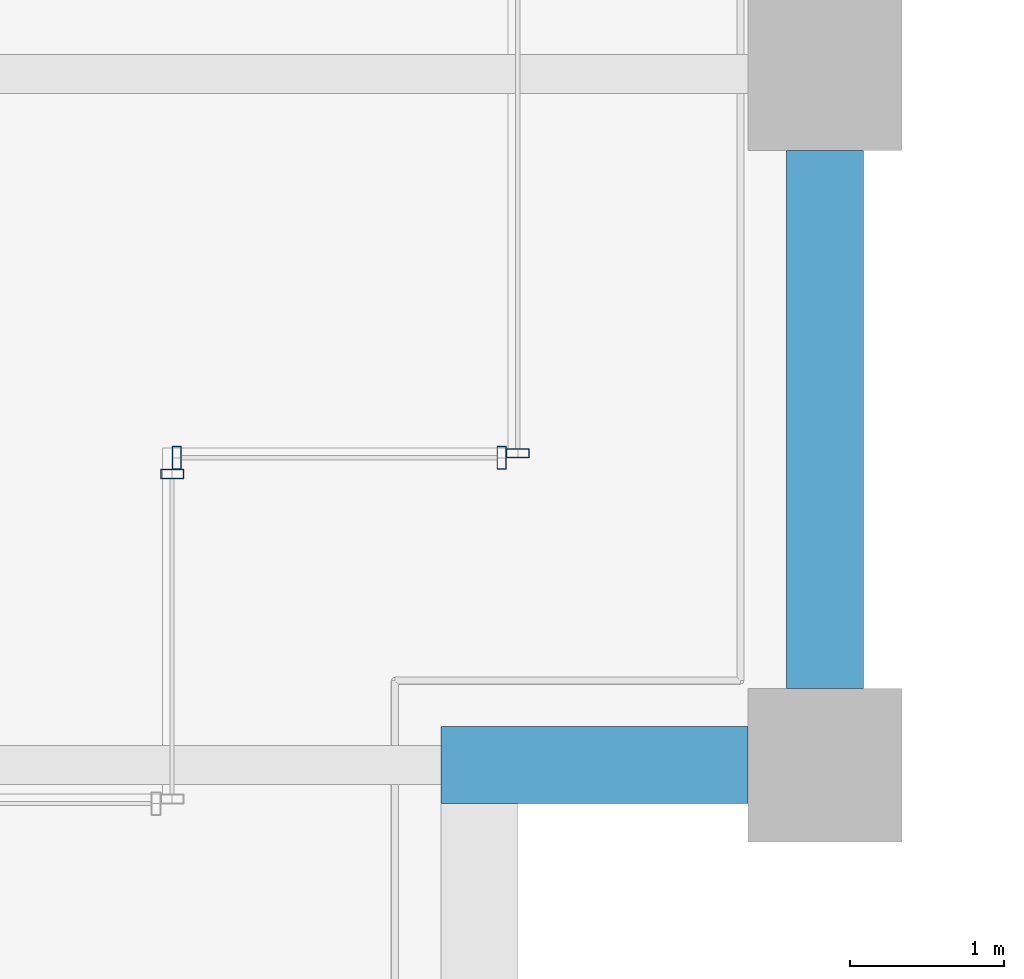
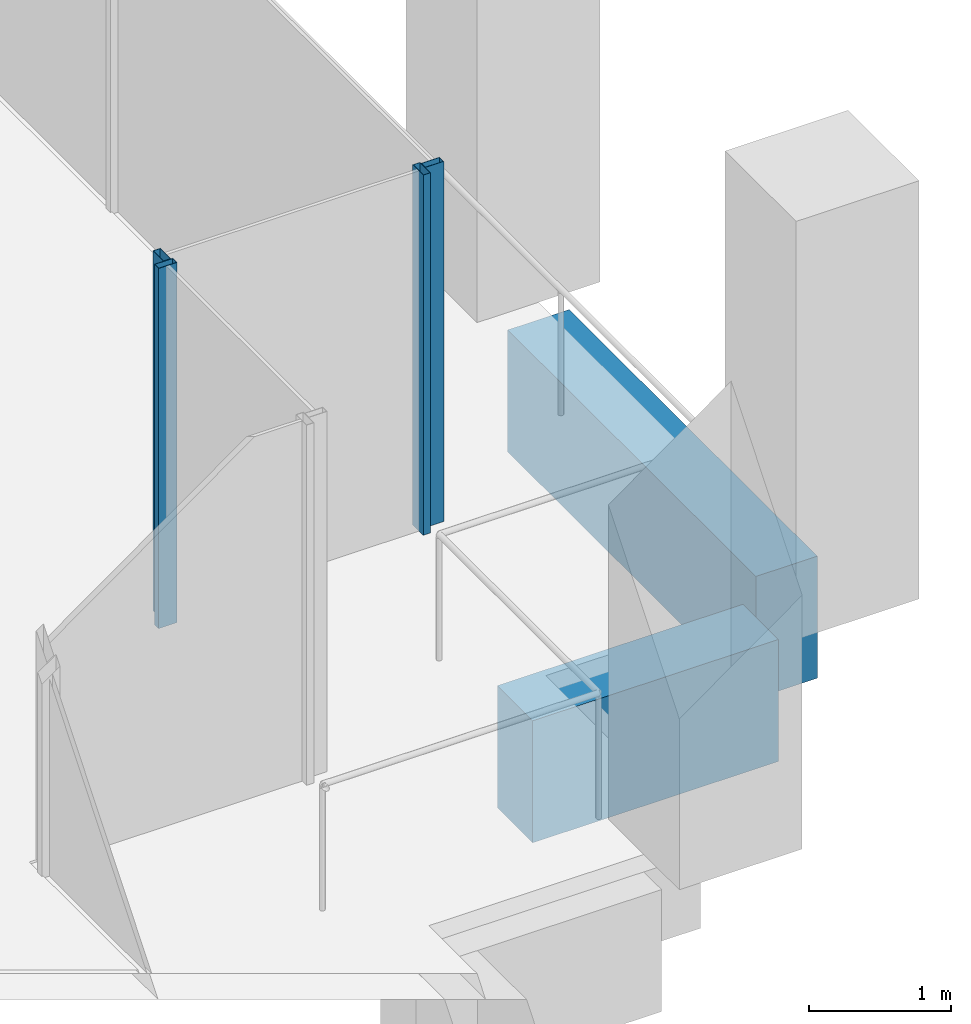
# One storey, part 13 of 47: 4 members, 2 beams, 3 elements without a shape of their own.
"""IFC4 building model written with IfcOpenShell, lengths in metres."""

from ifc_helpers import new_model, si_unit, direction, frame, origin, origin_2d, place, context, subcontext, project, spatial, rectangle, hollow_rectangle, extrude, material, material_profile, profile_set, type_object, element, aggregate, save


model = new_model("IFC4")

# Units and contexts
model_context = context("Model", 3, precision=1e-05, world=origin(), true_north=direction((0.0, 1.0)))
body_context = subcontext(model_context, "Body", "Model", "MODEL_VIEW")
ifc_project = project(units=[si_unit("LENGTHUNIT", "METRE"), si_unit("AREAUNIT", "SQUARE_METRE"), si_unit("VOLUMEUNIT", "CUBIC_METRE"), si_unit("PLANEANGLEUNIT", "RADIAN"), si_unit("MASSUNIT", "GRAM", prefix="KILO")], contexts=[model_context])

# Site, building, storey
site_placement = place(None, origin())
site = spatial("IfcSite", under=ifc_project, at=site_placement, CompositionType="ELEMENT")
building_placement = place(site_placement, origin())
building = spatial("IfcBuilding", under=site, at=building_placement, Name="Altepetl Exchange Towers", CompositionType="ELEMENT")
storey_placement = place(building_placement, frame((0.0, 0.0, 95.60009765625)))
storey = spatial("IfcBuildingStorey", under=building, at=storey_placement, Name="L23", CompositionType="ELEMENT", Elevation=95.60009765625)

# Curtain wall, member
ifc_material_1 = material(Name="Aluminium 6063-T6 glazing", Category="aluminium")
curtain_wall_type = type_object("IfcCurtainWallType", Name="Loggia glazing system", PredefinedType="NOTDEFINED", material=ifc_material_1)
curtain_wall_1_placement = place(storey_placement, origin())
curtain_wall_1 = element("IfcCurtainWall", 1, at=curtain_wall_1_placement, inside=storey, type_object=curtain_wall_type, Name="CW1 run", PredefinedType="NOTDEFINED")
ifc_material_2 = material(Name="Aluminium 6063-T6", Category="aluminium")
ifc_material_profile_1 = material_profile(ifc_material_2, hollow_rectangle(XDim=0.06005859375, YDim=0.14990234375, WallThickness=0.0029296875, at=origin_2d()), Name="Mullion 60x150 aluminium")
ifc_profile_set_1 = profile_set([ifc_material_profile_1], Name="Aluminium 6063-T6")
member_type = type_object("IfcMemberType", Name="Mullion 60x150 aluminium", PredefinedType="MULLION", material=ifc_profile_set_1)
member_1_placement = place(storey_placement, frame((67.75, 33.39501953125, 0.0), z_axis=(0.0, 0.0, 1.0), x_axis=(0.0, 1.0, 0.0)))
member_1 = element("IfcMember", 2, at=member_1_placement, type_object=member_type, Name="MU1 mullion", PredefinedType="MULLION", context=body_context, shape_type="SweptSolid", body=[
    extrude(hollow_rectangle(XDim=0.06005859375, YDim=0.14990234375, WallThickness=0.0029296875, at=origin_2d()), origin(), (0.0, 0.0, 1.0), 3.099853515625),
])
aggregate(curtain_wall_1, [member_1])

# Curtain wall, members
curtain_wall_2_placement = place(storey_placement, origin())
curtain_wall_2 = element("IfcCurtainWall", 3, at=curtain_wall_2_placement, inside=storey, type_object=curtain_wall_type, Name="CW1 run", PredefinedType="NOTDEFINED")
member_2_placement = place(storey_placement, frame((67.780029296875, 33.5, 0.0)))
member_2 = element("IfcMember", 4, at=member_2_placement, type_object=member_type, Name="MU1 mullion", PredefinedType="MULLION", context=body_context, shape_type="SweptSolid", body=[
    extrude(hollow_rectangle(XDim=0.06005859375, YDim=0.14990234375, WallThickness=0.0029296875, at=origin_2d()), origin(), (0.0, 0.0, 1.0), 3.099853515625),
])
member_3_placement = place(storey_placement, frame((69.89501953125, 33.5, 0.0)))
member_3 = element("IfcMember", 5, at=member_3_placement, type_object=member_type, Name="MU1 mullion", PredefinedType="MULLION", context=body_context, shape_type="SweptSolid", body=[
    extrude(hollow_rectangle(XDim=0.06005859375, YDim=0.14990234375, WallThickness=0.0029296875, at=origin_2d()), origin(), (0.0, 0.0, 1.0), 3.099853515625),
])
aggregate(curtain_wall_2, [member_2, member_3])

# Curtain wall, member
curtain_wall_3_placement = place(storey_placement, origin())
curtain_wall_3 = element("IfcCurtainWall", 6, at=curtain_wall_3_placement, inside=storey, type_object=curtain_wall_type, Name="CW1 run", PredefinedType="NOTDEFINED")
member_4_placement = place(storey_placement, frame((70.0, 33.530029296875, 0.0), z_axis=(0.0, 0.0, 1.0), x_axis=(0.0, 1.0, 0.0)))
member_4 = element("IfcMember", 7, at=member_4_placement, type_object=member_type, Name="MU1 mullion", PredefinedType="MULLION", context=body_context, shape_type="SweptSolid", body=[
    extrude(hollow_rectangle(XDim=0.06005859375, YDim=0.14990234375, WallThickness=0.0029296875, at=origin_2d()), origin(), (0.0, 0.0, 1.0), 3.099853515625),
])
aggregate(curtain_wall_3, [member_4])

# Beams
ifc_material_3 = material(Name="Concrete C50/60 precast with cantera amarilla facing", Category="concrete")
ifc_material_profile_2 = material_profile(ifc_material_3, rectangle(XDim=0.5, YDim=1.050048828125, at=origin_2d()), Name="500 x 1050")
ifc_profile_set_2 = profile_set([ifc_material_profile_2], Name="Concrete C50/60 precast with cantera amarilla facing")
beam_type = type_object("IfcBeamType", Name="Spandrel beam 500x1050 cantera amarilla", PredefinedType="SPANDREL", material=ifc_profile_set_2)
beam_1_placement = place(storey_placement, frame((69.5, 31.5, -0.675048828125), z_axis=(1.0, 0.0, 0.0), x_axis=(0.0, 1.0, 0.0)))
element("IfcBeam", 8, at=beam_1_placement, inside=storey, type_object=beam_type, Name="sp:A:L23:011", PredefinedType="SPANDREL", context=body_context, shape_type="SweptSolid", body=[
    extrude(rectangle(XDim=0.5, YDim=1.050048828125, at=origin_2d()), origin(), (0.0, 0.0, 1.0), 2.0),
])
beam_2_placement = place(storey_placement, frame((72.0, 32.0, -0.675048828125), z_axis=(0.0, 1.0, 0.0), x_axis=(-1.0, 0.0, 0.0)))
element("IfcBeam", 9, at=beam_2_placement, inside=storey, type_object=beam_type, Name="sp:A:L23:012", PredefinedType="SPANDREL", context=body_context, shape_type="SweptSolid", body=[
    extrude(rectangle(XDim=0.5, YDim=1.050048828125, at=origin_2d()), origin(), (0.0, 0.0, 1.0), 3.5),
])

save(model, "model.ifc")
